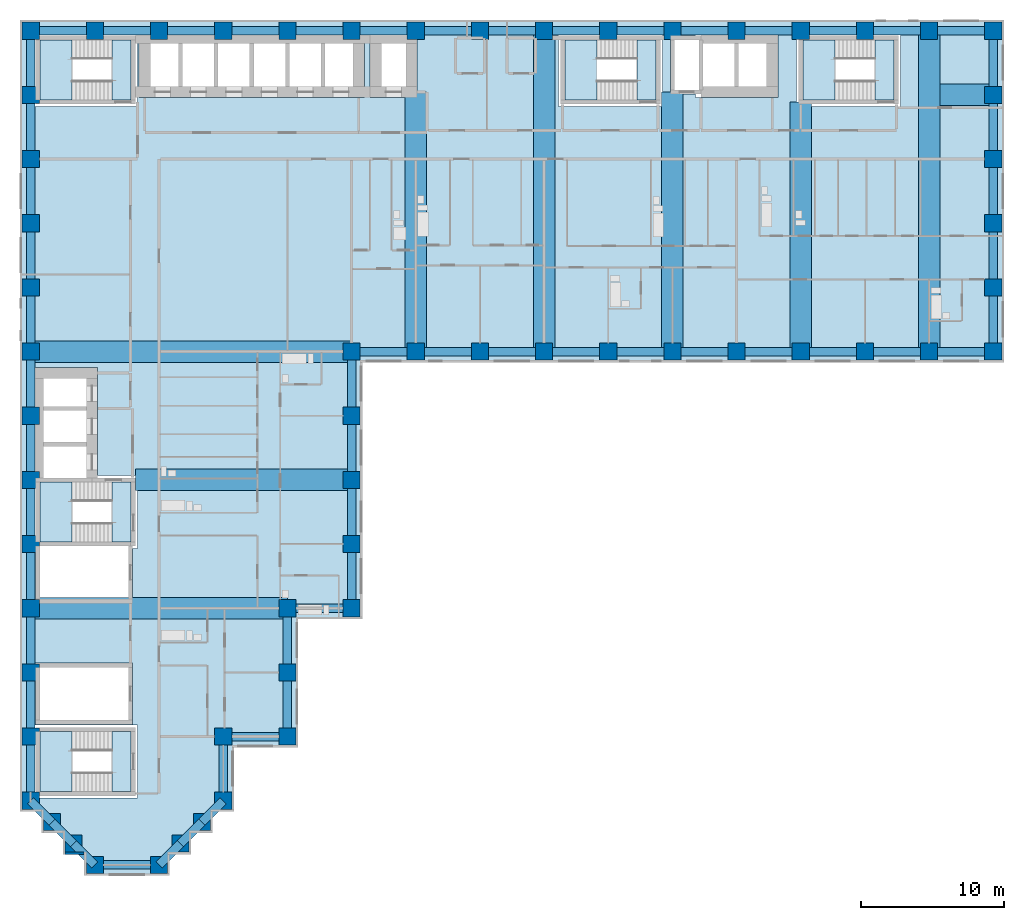
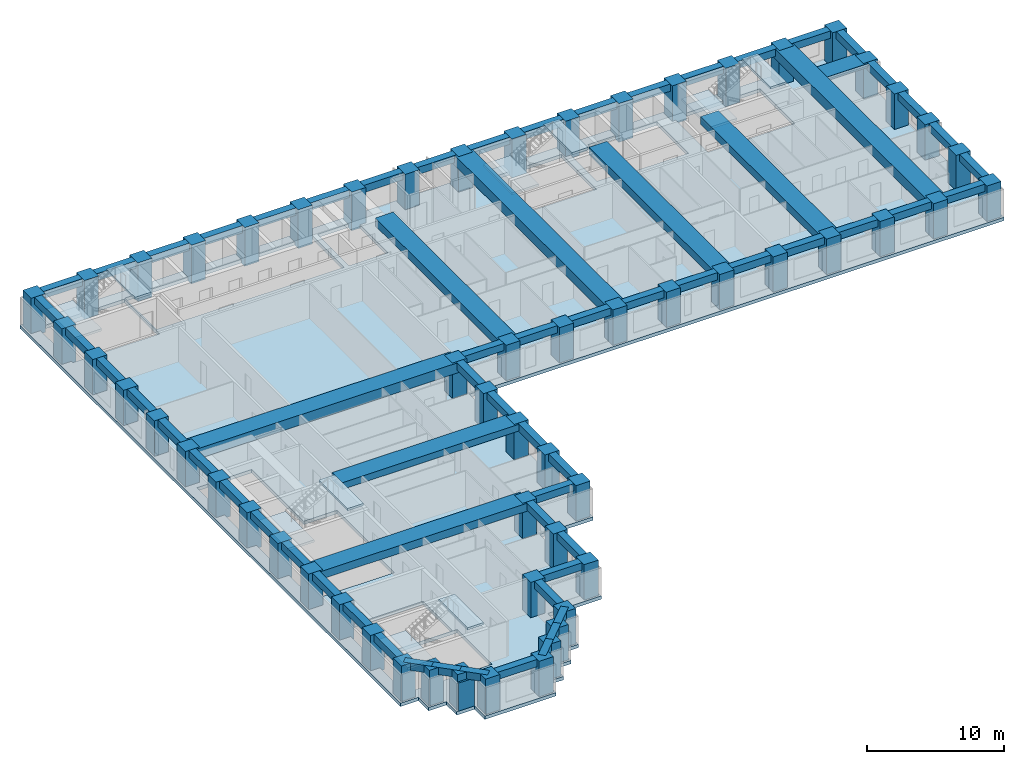
# One storey, part 1 of 13: 67 beams, 58 columns, 11 slabs, 1 wall, 5 elements without a shape of their own.
"""IFC4 building model written with IfcOpenShell, lengths in metres."""

from ifc_helpers import new_model, si_unit, direction, frame, frame_2d, origin, origin_2d, place, context, subcontext, project, spatial, polyline, rectangle, outline, extrude, material, layer, layer_set, material_profile, profile_set, type_object, element, aggregate, save


model = new_model("IFC4")

# Units and contexts
model_context = context("Model", 3, precision=1e-05, world=origin(), true_north=direction((0.0, 1.0)))
body_context = subcontext(model_context, "Body", "Model", "MODEL_VIEW")
ifc_project = project(units=[si_unit("LENGTHUNIT", "METRE"), si_unit("AREAUNIT", "SQUARE_METRE"), si_unit("VOLUMEUNIT", "CUBIC_METRE"), si_unit("PLANEANGLEUNIT", "RADIAN"), si_unit("MASSUNIT", "GRAM", prefix="KILO")], contexts=[model_context])

# Site, building, storey
site_placement = place(None, origin())
site = spatial("IfcSite", under=ifc_project, at=site_placement, CompositionType="ELEMENT")
building_placement = place(site_placement, origin())
building = spatial("IfcBuilding", under=site, at=building_placement, Name="Firuza Court", CompositionType="ELEMENT")
storey_placement = place(building_placement, frame((0.0, 0.0, 104.60009765625)))
storey = spatial("IfcBuildingStorey", under=building, at=storey_placement, Name="L26", CompositionType="ELEMENT", Elevation=104.60009765625)

# Columns
ifc_material_1 = material(Name="Concrete C70/85", Category="concrete")
ifc_material_profile_1 = material_profile(ifc_material_1, rectangle(XDim=1.199951171875, YDim=1.199951171875, at=origin_2d()), Name="RC 1200x1200")
ifc_profile_set_1 = profile_set([ifc_material_profile_1], Name="Concrete C70/85")
column_type = type_object("IfcColumnType", Name="Tube column RC 1200x1200 C70/85", PredefinedType="COLUMN", material=ifc_profile_set_1)
for number, where, z_axis, x_axis, name in (
    (1, (4.5, 0.0, -0.300048828125), (0.0, 0.0, 1.0), (1.0, 0.0, 0.0), "Column C-2D L26"),
    (2, (9.0, 0.0, -0.300048828125), (0.0, 0.0, 1.0), (1.0, 0.0, 0.0), "Column C-3D L26"),
    (3, (3.0, 1.5, -0.300048828125), (0.0, 0.0, 1.0), (1.0, 0.0, 0.0), "Column C-SA1 L26"),
    (4, (10.5, 1.5, -0.300048828125), (0.0, 0.0, 1.0), (1.0, 0.0, 0.0), "Column C-SA2 L26"),
    (5, (1.5, 3.0, -0.300048828125), (0.0, 0.0, 1.0), (1.0, 0.0, 0.0), "Column C-SA3 L26"),
    (6, (12.0, 3.0, -0.300048828125), (0.0, 0.0, 1.0), (1.0, 0.0, 0.0), "Column C-SA4 L26"),
    (7, (0.0, 4.5, -0.300048828125), (0.0, 0.0, 1.0), (1.0, 0.0, 0.0), "Column C-1E L26"),
    (8, (13.5, 4.5, -0.300048828125), (0.0, 0.0, 1.0), (1.0, 0.0, 0.0), "Column C-4E L26"),
    (9, (0.0, 9.0, -0.300048828125), (0.0, 0.0, 1.0), (1.0, 0.0, 0.0), "Column C-1F L26"),
    (10, (13.5, 9.0, -0.300048828125), (0.0, 0.0, 1.0), (1.0, 0.0, 0.0), "Column C-4F L26"),
    (11, (18.0, 9.0, -0.300048828125), (0.0, 0.0, 1.0), (1.0, 0.0, 0.0), "Column C-5F L26"),
    (12, (0.0, 13.5, -0.300048828125), (0.0, 0.0, 1.0), (1.0, 0.0, 0.0), "Column C-1G L26"),
    (13, (18.0, 13.5, -0.300048828125), (0.0, 0.0, 1.0), (1.0, 0.0, 0.0), "Column C-5G L26"),
    (14, (0.0, 18.0, -0.300048828125), (0.0, 0.0, 1.0), (1.0, 0.0, 0.0), "Column C-1H L26"),
    (15, (18.0, 18.0, -0.300048828125), (0.0, 0.0, 1.0), (1.0, 0.0, 0.0), "Column C-5H L26"),
    (16, (22.5, 18.0, -0.300048828125), (0.0, 0.0, 1.0), (1.0, 0.0, 0.0), "Column C-6H L26"),
    (17, (0.0, 22.5, -0.300048828125), (0.0, 0.0, 1.0), (1.0, 0.0, 0.0), "Column C-1J L26"),
    (18, (22.5, 22.5, -0.300048828125), (0.0, 0.0, 1.0), (1.0, 0.0, 0.0), "Column C-6J L26"),
    (19, (0.0, 27.0, -0.300048828125), (0.0, 0.0, 1.0), (1.0, 0.0, 0.0), "Column C-1K L26"),
    (20, (22.5, 27.0, -0.300048828125), (0.0, 0.0, 1.0), (1.0, 0.0, 0.0), "Column C-6K L26"),
    (21, (0.0, 31.5, -0.300048828125), (0.0, 0.0, 1.0), (1.0, 0.0, 0.0), "Column C-1L L26"),
    (22, (22.5, 31.5, -0.300048828125), (0.0, 0.0, 1.0), (1.0, 0.0, 0.0), "Column C-6L L26"),
    (23, (0.0, 36.0, -0.300048828125), (0.0, 0.0, 1.0), (1.0, 0.0, 0.0), "Column C-1M L26"),
    (24, (22.5, 36.0, -0.300048828125), (0.0, 0.0, 1.0), (1.0, 0.0, 0.0), "Column C-6M L26"),
    (25, (27.0, 36.0, -0.300048828125), (0.0, 0.0, 1.0), (1.0, 0.0, 0.0), "Column C-7M L26"),
    (26, (31.5, 36.0, -0.300048828125), (0.0, 0.0, 1.0), (1.0, 0.0, 0.0), "Column C-8M L26"),
    (27, (36.0, 36.0, -0.300048828125), (0.0, 0.0, 1.0), (1.0, 0.0, 0.0), "Column C-9M L26"),
    (28, (40.5, 36.0, -0.300048828125), (0.0, 0.0, 1.0), (1.0, 0.0, 0.0), "Column C-10M L26"),
    (29, (45.0, 36.0, -0.300048828125), (0.0, 0.0, 1.0), (1.0, 0.0, 0.0), "Column C-11M L26"),
    (30, (49.5, 36.0, -0.300048828125), (0.0, 0.0, 1.0), (1.0, 0.0, 0.0), "Column C-12M L26"),
    (31, (54.0, 36.0, -0.300048828125), (0.0, 0.0, 1.0), (1.0, 0.0, 0.0), "Column C-13M L26"),
    (32, (58.5, 36.0, -0.300048828125), (0.0, 0.0, 1.0), (1.0, 0.0, 0.0), "Column C-14M L26"),
    (33, (63.0, 36.0, -0.300048828125), (0.0, 0.0, 1.0), (1.0, 0.0, 0.0), "Column C-15M L26"),
    (34, (67.5, 36.0, -0.300048828125), (0.0, 0.0, 1.0), (1.0, 0.0, 0.0), "Column C-16M L26"),
    (35, (0.0, 40.5, -0.300048828125), (0.0, 0.0, 1.0), (1.0, 0.0, 0.0), "Column C-1N L26"),
    (36, (67.5, 40.5, -0.300048828125), (0.0, 0.0, 1.0), (1.0, 0.0, 0.0), "Column C-16N L26"),
    (37, (0.0, 45.0, -0.300048828125), (0.0, 0.0, 1.0), (1.0, 0.0, 0.0), "Column C-1P L26"),
    (38, (67.5, 45.0, -0.300048828125), (0.0, 0.0, 1.0), (1.0, 0.0, 0.0), "Column C-16P L26"),
    (39, (0.0, 49.5, -0.300048828125), (0.0, 0.0, 1.0), (1.0, 0.0, 0.0), "Column C-1Q L26"),
    (40, (67.5, 49.5, -0.300048828125), (0.0, 0.0, 1.0), (1.0, 0.0, 0.0), "Column C-16Q L26"),
    (41, (0.0, 54.0, -0.300048828125), (0.0, 0.0, 1.0), (1.0, 0.0, 0.0), "Column C-1R L26"),
    (42, (67.5, 54.0, -0.300048828125), (0.0, 0.0, 1.0), (1.0, 0.0, 0.0), "Column C-16R L26"),
    (43, (0.0, 58.5, -0.300048828125), (0.0, 0.0, 1.0), (1.0, 0.0, 0.0), "Column C-1S L26"),
    (44, (4.5, 58.5, -0.300048828125), (0.0, 0.0, 1.0), (1.0, 0.0, 0.0), "Column C-2S L26"),
    (45, (9.0, 58.5, -0.300048828125), (0.0, 0.0, 1.0), (1.0, 0.0, 0.0), "Column C-3S L26"),
    (46, (13.5, 58.5, -0.300048828125), (0.0, 0.0, 1.0), (1.0, 0.0, 0.0), "Column C-4S L26"),
    (47, (18.0, 58.5, -0.300048828125), (0.0, 0.0, 1.0), (1.0, 0.0, 0.0), "Column C-5S L26"),
    (48, (22.5, 58.5, -0.300048828125), (0.0, 0.0, 1.0), (1.0, 0.0, 0.0), "Column C-6S L26"),
    (49, (27.0, 58.5, -0.300048828125), (0.0, 0.0, 1.0), (1.0, 0.0, 0.0), "Column C-7S L26"),
    (50, (31.5, 58.5, -0.300048828125), (0.0, 0.0, 1.0), (1.0, 0.0, 0.0), "Column C-8S L26"),
    (51, (36.0, 58.5, -0.300048828125), (0.0, 0.0, 1.0), (1.0, 0.0, 0.0), "Column C-9S L26"),
    (52, (40.5, 58.5, -0.300048828125), (0.0, 0.0, 1.0), (1.0, 0.0, 0.0), "Column C-10S L26"),
    (53, (45.0, 58.5, -0.300048828125), (0.0, 0.0, 1.0), (1.0, 0.0, 0.0), "Column C-11S L26"),
    (54, (49.5, 58.5, -0.300048828125), (0.0, 0.0, 1.0), (1.0, 0.0, 0.0), "Column C-12S L26"),
    (55, (54.0, 58.5, -0.300048828125), (0.0, 0.0, 1.0), (1.0, 0.0, 0.0), "Column C-13S L26"),
    (56, (58.5, 58.5, -0.300048828125), (0.0, 0.0, 1.0), (1.0, 0.0, 0.0), "Column C-14S L26"),
    (57, (63.0, 58.5, -0.300048828125), (0.0, 0.0, 1.0), (1.0, 0.0, 0.0), "Column C-15S L26"),
    (58, (67.5, 58.5, -0.300048828125), (0.0, 0.0, 1.0), (1.0, 0.0, 0.0), "Column C-16S L26"),
):
    element("IfcColumn", number, at=place(storey_placement, frame(where, z_axis=z_axis, x_axis=x_axis)), inside=storey, type_object=column_type, Name=name, PredefinedType="COLUMN", context=body_context, shape_type="SweptSolid", body=[
        extrude(rectangle(XDim=1.199951171875, YDim=1.199951171875, at=origin_2d()), origin(), (0.0, 0.0, 1.0), 3.449951171875),
    ])

# Beams
ifc_material_2 = material(Name="Concrete C40/50", Category="concrete")
ifc_material_profile_2 = material_profile(ifc_material_2, rectangle(XDim=1.5, YDim=0.35009765625, at=origin_2d()), Name="RC 1500x350")
ifc_profile_set_2 = profile_set([ifc_material_profile_2], Name="Concrete C40/50")
beam_type_1 = type_object("IfcBeamType", Name="Band beam RC 1500x350 C40/50", PredefinedType="BEAM", material=ifc_profile_set_2)
beam_1_placement = place(storey_placement, frame((67.5, 54.0, 2.974853515625), z_axis=(-1.0, 0.0, 0.0), x_axis=(0.0, -1.0, 0.0)))
element("IfcBeam", 59, at=beam_1_placement, inside=storey, type_object=beam_type_1, Name="Band beam FB7 level L27", PredefinedType="BEAM", context=body_context, shape_type="SweptSolid", body=[
    extrude(rectangle(XDim=1.5, YDim=0.35009765625, at=origin_2d()), origin(), (0.0, 0.0, 1.0), 3.75),
])
ifc_material_3 = material(Name="Concrete C40/50", Category="concrete")
ifc_material_profile_3 = material_profile(ifc_material_3, rectangle(XDim=1.5, YDim=0.60009765625, at=origin_2d()), Name="RC 1500x600")
ifc_profile_set_3 = profile_set([ifc_material_profile_3], Name="Concrete C40/50")
beam_type_2 = type_object("IfcBeamType", Name="Band beam RC 1500x600 C40/50", PredefinedType="BEAM", material=ifc_profile_set_3)
beam_2_placement = place(storey_placement, frame((22.5, 27.0, 2.849853515625), z_axis=(-1.0, 0.0, 0.0), x_axis=(0.0, -1.0, 0.0)))
element("IfcBeam", 60, at=beam_2_placement, inside=storey, type_object=beam_type_2, Name="Band beam FB3 level L27", PredefinedType="BEAM", context=body_context, shape_type="SweptSolid", body=[
    extrude(rectangle(XDim=1.5, YDim=0.60009765625, at=origin_2d()), origin(), (0.0, 0.0, 1.0), 15.14990234375),
])
ifc_material_4 = material(Name="Concrete C40/50", Category="concrete")
ifc_material_profile_4 = material_profile(ifc_material_4, rectangle(XDim=1.5, YDim=0.699951171875, at=origin_2d()), Name="RC 1500x700")
ifc_profile_set_4 = profile_set([ifc_material_profile_4], Name="Concrete C40/50")
beam_type_3 = type_object("IfcBeamType", Name="Band beam RC 1500x700 C40/50", PredefinedType="BEAM", material=ifc_profile_set_4)
beam_3_placement = place(storey_placement, frame((0.0, 18.0, 2.7998046875), z_axis=(1.0, 0.0, 0.0), x_axis=(0.0, 1.0, 0.0)))
element("IfcBeam", 61, at=beam_3_placement, inside=storey, type_object=beam_type_3, Name="Band beam FB1 level L27", PredefinedType="BEAM", context=body_context, shape_type="SweptSolid", body=[
    extrude(rectangle(XDim=1.5, YDim=0.699951171875, at=origin_2d()), origin(), (0.0, 0.0, 1.0), 18.0),
])
for number, where, z_axis, x_axis, name in (
    (62, (27.0, 36.0, 2.7998046875), (0.0, 1.0, 0.0), (-1.0, 0.0, 0.0), "Band beam FB1 level L27"),
    (63, (45.0, 36.0, 2.7998046875), (0.0, 1.0, 0.0), (-1.0, 0.0, 0.0), "Band beam FB1 level L27"),
):
    element("IfcBeam", number, at=place(storey_placement, frame(where, z_axis=z_axis, x_axis=x_axis)), inside=storey, type_object=beam_type_3, Name=name, PredefinedType="BEAM", context=body_context, shape_type="SweptSolid", body=[
        extrude(rectangle(XDim=1.5, YDim=0.699951171875, at=origin_2d()), origin(), (0.0, 0.0, 1.0), 18.199951171875),
    ])
beam_4_placement = place(storey_placement, frame((54.0, 36.0, 2.7998046875), z_axis=(0.0, 1.0, 0.0), x_axis=(-1.0, 0.0, 0.0)))
element("IfcBeam", 64, at=beam_4_placement, inside=storey, type_object=beam_type_3, Name="Band beam FB1 level L27", PredefinedType="BEAM", context=body_context, shape_type="SweptSolid", body=[
    extrude(rectangle(XDim=1.5, YDim=0.699951171875, at=origin_2d()), origin(), (0.0, 0.0, 1.0), 17.5),
])
ifc_material_5 = material(Name="Concrete C40/50", Category="concrete")
ifc_material_profile_5 = material_profile(ifc_material_5, rectangle(XDim=1.5, YDim=0.89990234375, at=origin_2d()), Name="RC 1500x900")
ifc_profile_set_5 = profile_set([ifc_material_profile_5], Name="Concrete C40/50")
beam_type_4 = type_object("IfcBeamType", Name="Band beam RC 1500x900 C40/50", PredefinedType="BEAM", material=ifc_profile_set_5)
for number, where, z_axis, x_axis, name in (
    (65, (0.0, 36.0, 2.699951171875), (1.0, 0.0, 0.0), (0.0, 1.0, 0.0), "Band beam FB2 level L27"),
    (66, (36.0, 36.0, 2.699951171875), (0.0, 1.0, 0.0), (-1.0, 0.0, 0.0), "Band beam FB2 level L27"),
    (67, (63.0, 36.0, 2.699951171875), (0.0, 1.0, 0.0), (-1.0, 0.0, 0.0), "Band beam FB2 level L27"),
):
    element("IfcBeam", number, at=place(storey_placement, frame(where, z_axis=z_axis, x_axis=x_axis)), inside=storey, type_object=beam_type_4, Name=name, PredefinedType="BEAM", context=body_context, shape_type="SweptSolid", body=[
        extrude(rectangle(XDim=1.5, YDim=0.89990234375, at=origin_2d()), origin(), (0.0, 0.0, 1.0), 22.5),
    ])
ifc_material_6 = material(Name="Concrete C40/50", Category="concrete")
ifc_material_profile_6 = material_profile(ifc_material_6, rectangle(XDim=0.60009765625, YDim=0.64990234375, at=origin_2d()), Name="RC 600x650")
ifc_profile_set_6 = profile_set([ifc_material_profile_6], Name="Concrete C40/50")
beam_type_5 = type_object("IfcBeamType", Name="Spandrel beam RC 600x650 C40/50", PredefinedType="BEAM", material=ifc_profile_set_6)
beam_5_placement = place(storey_placement, frame((0.0, 4.5, 2.824951171875), z_axis=(0.707106781187, -0.707106781187, 0.0), x_axis=(0.707106781187, 0.707106781187, 0.0)))
element("IfcBeam", 68, at=beam_5_placement, inside=storey, type_object=beam_type_5, Name="Spandrel beam SP12 level L27", PredefinedType="BEAM", context=body_context, shape_type="SweptSolid", body=[
    extrude(rectangle(XDim=0.60009765625, YDim=0.64990234375, at=origin_2d()), origin(), (0.0, 0.0, 1.0), 2.121337890625),
])
for number, where, z_axis, x_axis, name in (
    (69, (0.0, 9.0, 2.824951171875), (0.0, -1.0, 0.0), (1.0, 0.0, 0.0), "Spandrel beam SP12 level L27"),
    (70, (0.0, 13.5, 2.824951171875), (0.0, -1.0, 0.0), (1.0, 0.0, 0.0), "Spandrel beam SP12 level L27"),
    (71, (0.0, 18.0, 2.824951171875), (0.0, -1.0, 0.0), (1.0, 0.0, 0.0), "Spandrel beam SP12 level L27"),
    (72, (0.0, 22.5, 2.824951171875), (0.0, -1.0, 0.0), (1.0, 0.0, 0.0), "Spandrel beam SP12 level L27"),
    (73, (0.0, 27.0, 2.824951171875), (0.0, -1.0, 0.0), (1.0, 0.0, 0.0), "Spandrel beam SP12 level L27"),
    (74, (0.0, 31.5, 2.824951171875), (0.0, -1.0, 0.0), (1.0, 0.0, 0.0), "Spandrel beam SP12 level L27"),
    (75, (0.0, 36.0, 2.824951171875), (0.0, -1.0, 0.0), (1.0, 0.0, 0.0), "Spandrel beam SP12 level L27"),
    (76, (0.0, 40.5, 2.824951171875), (0.0, -1.0, 0.0), (1.0, 0.0, 0.0), "Spandrel beam SP12 level L27"),
    (77, (0.0, 45.0, 2.824951171875), (0.0, -1.0, 0.0), (1.0, 0.0, 0.0), "Spandrel beam SP12 level L27"),
    (78, (0.0, 49.5, 2.824951171875), (0.0, -1.0, 0.0), (1.0, 0.0, 0.0), "Spandrel beam SP12 level L27"),
    (79, (0.0, 54.0, 2.824951171875), (0.0, -1.0, 0.0), (1.0, 0.0, 0.0), "Spandrel beam SP12 level L27"),
    (80, (0.0, 58.5, 2.824951171875), (0.0, -1.0, 0.0), (1.0, 0.0, 0.0), "Spandrel beam SP12 level L27"),
):
    element("IfcBeam", number, at=place(storey_placement, frame(where, z_axis=z_axis, x_axis=x_axis)), inside=storey, type_object=beam_type_5, Name=name, PredefinedType="BEAM", context=body_context, shape_type="SweptSolid", body=[
        extrude(rectangle(XDim=0.60009765625, YDim=0.64990234375, at=origin_2d()), origin(), (0.0, 0.0, 1.0), 4.5),
    ])
for number, where, z_axis, x_axis, name in (
    (81, (1.5, 3.0, 2.824951171875), (0.707106781187, -0.707106781187, 0.0), (0.707106781187, 0.707106781187, 0.0), "Spandrel beam SP12 level L27"),
    (82, (3.0, 1.5, 2.824951171875), (0.707106781187, -0.707106781187, 0.0), (0.707106781187, 0.707106781187, 0.0), "Spandrel beam SP12 level L27"),
):
    element("IfcBeam", number, at=place(storey_placement, frame(where, z_axis=z_axis, x_axis=x_axis)), inside=storey, type_object=beam_type_5, Name=name, PredefinedType="BEAM", context=body_context, shape_type="SweptSolid", body=[
        extrude(rectangle(XDim=0.60009765625, YDim=0.64990234375, at=origin_2d()), origin(), (0.0, 0.0, 1.0), 2.121337890625),
    ])
for number, where, z_axis, x_axis, name in (
    (83, (4.5, 0.0, 2.824951171875), (1.0, 0.0, 0.0), (0.0, 1.0, 0.0), "Spandrel beam SP12 level L27"),
    (84, (4.5, 58.5, 2.824951171875), (-1.0, 0.0, 0.0), (0.0, -1.0, 0.0), "Spandrel beam SP12 level L27"),
):
    element("IfcBeam", number, at=place(storey_placement, frame(where, z_axis=z_axis, x_axis=x_axis)), inside=storey, type_object=beam_type_5, Name=name, PredefinedType="BEAM", context=body_context, shape_type="SweptSolid", body=[
        extrude(rectangle(XDim=0.60009765625, YDim=0.64990234375, at=origin_2d()), origin(), (0.0, 0.0, 1.0), 4.5),
    ])
beam_6_placement = place(storey_placement, frame((9.0, 0.0, 2.824951171875), z_axis=(0.707106781187, 0.707106781187, 0.0), x_axis=(-0.707106781187, 0.707106781187, 0.0)))
element("IfcBeam", 85, at=beam_6_placement, inside=storey, type_object=beam_type_5, Name="Spandrel beam SP12 level L27", PredefinedType="BEAM", context=body_context, shape_type="SweptSolid", body=[
    extrude(rectangle(XDim=0.60009765625, YDim=0.64990234375, at=origin_2d()), origin(), (0.0, 0.0, 1.0), 2.121337890625),
])
beam_7_placement = place(storey_placement, frame((9.0, 58.5, 2.824951171875), z_axis=(-1.0, 0.0, 0.0), x_axis=(0.0, -1.0, 0.0)))
element("IfcBeam", 86, at=beam_7_placement, inside=storey, type_object=beam_type_5, Name="Spandrel beam SP12 level L27", PredefinedType="BEAM", context=body_context, shape_type="SweptSolid", body=[
    extrude(rectangle(XDim=0.60009765625, YDim=0.64990234375, at=origin_2d()), origin(), (0.0, 0.0, 1.0), 4.5),
])
for number, where, z_axis, x_axis, name in (
    (87, (10.5, 1.5, 2.824951171875), (0.707106781187, 0.707106781187, 0.0), (-0.707106781187, 0.707106781187, 0.0), "Spandrel beam SP12 level L27"),
    (88, (12.0, 3.0, 2.824951171875), (0.707106781187, 0.707106781187, 0.0), (-0.707106781187, 0.707106781187, 0.0), "Spandrel beam SP12 level L27"),
):
    element("IfcBeam", number, at=place(storey_placement, frame(where, z_axis=z_axis, x_axis=x_axis)), inside=storey, type_object=beam_type_5, Name=name, PredefinedType="BEAM", context=body_context, shape_type="SweptSolid", body=[
        extrude(rectangle(XDim=0.60009765625, YDim=0.64990234375, at=origin_2d()), origin(), (0.0, 0.0, 1.0), 2.121337890625),
    ])
for number, where, z_axis, x_axis, name in (
    (89, (13.5, 4.5, 2.824951171875), (0.0, 1.0, 0.0), (-1.0, 0.0, 0.0), "Spandrel beam SP12 level L27"),
    (90, (13.5, 9.0, 2.824951171875), (1.0, 0.0, 0.0), (0.0, 1.0, 0.0), "Spandrel beam SP12 level L27"),
    (91, (13.5, 58.5, 2.824951171875), (-1.0, 0.0, 0.0), (0.0, -1.0, 0.0), "Spandrel beam SP12 level L27"),
    (92, (18.0, 9.0, 2.824951171875), (0.0, 1.0, 0.0), (-1.0, 0.0, 0.0), "Spandrel beam SP12 level L27"),
    (93, (18.0, 13.5, 2.824951171875), (0.0, 1.0, 0.0), (-1.0, 0.0, 0.0), "Spandrel beam SP12 level L27"),
    (94, (18.0, 18.0, 2.824951171875), (1.0, 0.0, 0.0), (0.0, 1.0, 0.0), "Spandrel beam SP12 level L27"),
    (95, (18.0, 58.5, 2.824951171875), (-1.0, 0.0, 0.0), (0.0, -1.0, 0.0), "Spandrel beam SP12 level L27"),
    (96, (22.5, 18.0, 2.824951171875), (0.0, 1.0, 0.0), (-1.0, 0.0, 0.0), "Spandrel beam SP12 level L27"),
    (97, (22.5, 22.5, 2.824951171875), (0.0, 1.0, 0.0), (-1.0, 0.0, 0.0), "Spandrel beam SP12 level L27"),
    (98, (22.5, 27.0, 2.824951171875), (0.0, 1.0, 0.0), (-1.0, 0.0, 0.0), "Spandrel beam SP12 level L27"),
    (99, (22.5, 31.5, 2.824951171875), (0.0, 1.0, 0.0), (-1.0, 0.0, 0.0), "Spandrel beam SP12 level L27"),
    (100, (22.5, 36.0, 2.824951171875), (1.0, 0.0, 0.0), (0.0, 1.0, 0.0), "Spandrel beam SP12 level L27"),
    (101, (22.5, 58.5, 2.824951171875), (-1.0, 0.0, 0.0), (0.0, -1.0, 0.0), "Spandrel beam SP12 level L27"),
    (102, (27.0, 36.0, 2.824951171875), (1.0, 0.0, 0.0), (0.0, 1.0, 0.0), "Spandrel beam SP12 level L27"),
    (103, (27.0, 58.5, 2.824951171875), (-1.0, 0.0, 0.0), (0.0, -1.0, 0.0), "Spandrel beam SP12 level L27"),
    (104, (31.5, 36.0, 2.824951171875), (1.0, 0.0, 0.0), (0.0, 1.0, 0.0), "Spandrel beam SP12 level L27"),
    (105, (31.5, 58.5, 2.824951171875), (-1.0, 0.0, 0.0), (0.0, -1.0, 0.0), "Spandrel beam SP12 level L27"),
    (106, (36.0, 36.0, 2.824951171875), (1.0, 0.0, 0.0), (0.0, 1.0, 0.0), "Spandrel beam SP12 level L27"),
    (107, (36.0, 58.5, 2.824951171875), (-1.0, 0.0, 0.0), (0.0, -1.0, 0.0), "Spandrel beam SP12 level L27"),
    (108, (40.5, 36.0, 2.824951171875), (1.0, 0.0, 0.0), (0.0, 1.0, 0.0), "Spandrel beam SP12 level L27"),
    (109, (40.5, 58.5, 2.824951171875), (-1.0, 0.0, 0.0), (0.0, -1.0, 0.0), "Spandrel beam SP12 level L27"),
    (110, (45.0, 36.0, 2.824951171875), (1.0, 0.0, 0.0), (0.0, 1.0, 0.0), "Spandrel beam SP12 level L27"),
    (111, (45.0, 58.5, 2.824951171875), (-1.0, 0.0, 0.0), (0.0, -1.0, 0.0), "Spandrel beam SP12 level L27"),
    (112, (49.5, 36.0, 2.824951171875), (1.0, 0.0, 0.0), (0.0, 1.0, 0.0), "Spandrel beam SP12 level L27"),
    (113, (49.5, 58.5, 2.824951171875), (-1.0, 0.0, 0.0), (0.0, -1.0, 0.0), "Spandrel beam SP12 level L27"),
    (114, (54.0, 36.0, 2.824951171875), (1.0, 0.0, 0.0), (0.0, 1.0, 0.0), "Spandrel beam SP12 level L27"),
    (115, (54.0, 58.5, 2.824951171875), (-1.0, 0.0, 0.0), (0.0, -1.0, 0.0), "Spandrel beam SP12 level L27"),
    (116, (58.5, 36.0, 2.824951171875), (1.0, 0.0, 0.0), (0.0, 1.0, 0.0), "Spandrel beam SP12 level L27"),
    (117, (58.5, 58.5, 2.824951171875), (-1.0, 0.0, 0.0), (0.0, -1.0, 0.0), "Spandrel beam SP12 level L27"),
    (118, (63.0, 36.0, 2.824951171875), (1.0, 0.0, 0.0), (0.0, 1.0, 0.0), "Spandrel beam SP12 level L27"),
    (119, (63.0, 58.5, 2.824951171875), (-1.0, 0.0, 0.0), (0.0, -1.0, 0.0), "Spandrel beam SP12 level L27"),
    (120, (67.5, 36.0, 2.824951171875), (0.0, 1.0, 0.0), (-1.0, 0.0, 0.0), "Spandrel beam SP12 level L27"),
    (121, (67.5, 40.5, 2.824951171875), (0.0, 1.0, 0.0), (-1.0, 0.0, 0.0), "Spandrel beam SP12 level L27"),
    (122, (67.5, 45.0, 2.824951171875), (0.0, 1.0, 0.0), (-1.0, 0.0, 0.0), "Spandrel beam SP12 level L27"),
    (123, (67.5, 49.5, 2.824951171875), (0.0, 1.0, 0.0), (-1.0, 0.0, 0.0), "Spandrel beam SP12 level L27"),
    (124, (67.5, 54.0, 2.824951171875), (0.0, 1.0, 0.0), (-1.0, 0.0, 0.0), "Spandrel beam SP12 level L27"),
    (125, (67.5, 58.5, 2.824951171875), (-1.0, 0.0, 0.0), (0.0, -1.0, 0.0), "Spandrel beam SP12 level L27"),
):
    element("IfcBeam", number, at=place(storey_placement, frame(where, z_axis=z_axis, x_axis=x_axis)), inside=storey, type_object=beam_type_5, Name=name, PredefinedType="BEAM", context=body_context, shape_type="SweptSolid", body=[
        extrude(rectangle(XDim=0.60009765625, YDim=0.64990234375, at=origin_2d()), origin(), (0.0, 0.0, 1.0), 4.5),
    ])

# Slab
ifc_material_7 = material(Name="Concrete C40/50", Category="concrete")
ifc_layer_1 = layer(ifc_material_7, 0.300048828125)
ifc_layer_set_1 = layer_set([ifc_layer_1], Name="Concrete C40/50")
slab_type_1 = type_object("IfcSlabType", Name="Floor slab 300 C40/50", PredefinedType="FLOOR", material=ifc_layer_set_1)
slab_1_placement = place(storey_placement, frame((0.0, 0.0, -0.300048828125)))
element("IfcSlab", 126, at=slab_1_placement, inside=storey, type_object=slab_type_1, Name="Floor slab L26", PredefinedType="FLOOR", context=body_context, shape_type="SweptSolid", body=[
    extrude(outline(polyline([(3.75, -0.75), (3.75, 0.75), (2.25, 0.75), (2.25, 2.25), (0.75, 2.25), (0.75, 3.75), (-0.75, 3.75), (-0.75, 59.25), (68.25, 59.25), (68.25, 35.25), (23.25, 35.25), (23.25, 17.25), (18.75, 17.25), (18.75, 8.25), (14.25, 8.25), (14.25, 3.75), (12.75, 3.75), (12.75, 2.25), (11.25, 2.25), (11.25, 0.75), (9.75, 0.75), (9.75, -0.75), (3.75, -0.75)]), holes=[polyline([(7.5, 9.800048828125), (0.199951171875, 9.800048828125), (0.199951171875, 4.699951171875), (7.5, 4.699951171875), (7.5, 9.800048828125)]), polyline([(7.14990234375, 14.14990234375), (0.35009765625, 14.14990234375), (0.35009765625, 9.85009765625), (7.14990234375, 9.85009765625), (7.14990234375, 14.14990234375)]), polyline([(0.199951171875, 22.199951171875), (0.35009765625, 22.199951171875), (0.35009765625, 18.35009765625), (7.14990234375, 18.35009765625), (7.14990234375, 22.199951171875), (7.5, 22.199951171875), (7.5, 27.300048828125), (4.699951171875, 27.300048828125), (4.699951171875, 29.10009765625), (4.699951171875, 29.89990234375), (4.699951171875, 31.60009765625), (4.699951171875, 32.39990234375), (4.699951171875, 34.89990234375), (0.10009765625, 34.89990234375), (0.10009765625, 32.39990234375), (0.10009765625, 31.60009765625), (0.10009765625, 29.89990234375), (0.10009765625, 29.10009765625), (0.10009765625, 26.60009765625), (0.199951171875, 26.60009765625), (0.199951171875, 22.199951171875)]), polyline([(7.5, 58.300048828125), (0.199951171875, 58.300048828125), (0.199951171875, 53.199951171875), (7.5, 53.199951171875), (7.5, 58.300048828125)]), polyline([(10.10009765625, 58.39990234375), (7.60009765625, 58.39990234375), (7.60009765625, 53.800048828125), (10.10009765625, 53.800048828125), (10.89990234375, 53.800048828125), (12.60009765625, 53.800048828125), (13.39990234375, 53.800048828125), (15.10009765625, 53.800048828125), (15.89990234375, 53.800048828125), (17.60009765625, 53.800048828125), (18.39990234375, 53.800048828125), (20.10009765625, 53.800048828125), (20.89990234375, 53.800048828125), (23.39990234375, 53.800048828125), (23.39990234375, 58.39990234375), (20.89990234375, 58.39990234375), (20.10009765625, 58.39990234375), (18.39990234375, 58.39990234375), (17.60009765625, 58.39990234375), (15.89990234375, 58.39990234375), (15.10009765625, 58.39990234375), (13.39990234375, 58.39990234375), (12.60009765625, 58.39990234375), (10.89990234375, 58.39990234375), (10.10009765625, 58.39990234375)]), polyline([(44.300048828125, 58.300048828125), (37.0, 58.300048828125), (37.0, 53.199951171875), (44.300048828125, 53.199951171875), (44.300048828125, 58.300048828125)]), polyline([(61.0, 58.300048828125), (53.699951171875, 58.300048828125), (53.699951171875, 53.199951171875), (61.0, 53.199951171875), (61.0, 58.300048828125)]), polyline([(27.10009765625, 58.39990234375), (23.800048828125, 58.39990234375), (23.800048828125, 53.800048828125), (27.10009765625, 53.800048828125), (27.10009765625, 58.39990234375)]), polyline([(46.60009765625, 58.14990234375), (44.85009765625, 58.14990234375), (44.85009765625, 54.050048828125), (46.60009765625, 54.050048828125), (46.60009765625, 53.800048828125), (49.10009765625, 53.800048828125), (49.89990234375, 53.800048828125), (52.39990234375, 53.800048828125), (52.39990234375, 58.39990234375), (49.89990234375, 58.39990234375), (49.10009765625, 58.39990234375), (46.60009765625, 58.39990234375), (46.60009765625, 58.14990234375)])]), origin(), (0.0, 0.0, 1.0), 0.300048828125),
])

# Stair, slabs
ifc_material_8 = material(Name="Concrete C40/50 precast", Category="concrete")
stair_type = type_object("IfcStairType", Name="Stair 1350 x 3600 2 flights", PredefinedType="HALF_TURN_STAIR", material=ifc_material_8)
stair_1_placement = place(storey_placement, origin())
stair_1 = element("IfcStair", 127, at=stair_1_placement, inside=storey, type_object=stair_type, Name="Stair 1 L26", PredefinedType="HALF_TURN_STAIR")
ifc_material_9 = material(Name="Concrete C40/50 precast", Category="concrete")
ifc_layer_2 = layer(ifc_material_9, 0.199951171875)
ifc_layer_set_2 = layer_set([ifc_layer_2], Name="Concrete C40/50 precast")
slab_type_2 = type_object("IfcSlabType", Name="Stair landing 200", PredefinedType="LANDING", material=ifc_layer_set_2)
slab_2_placement = place(storey_placement, frame((0.0, 0.0, 1.599853515625)))
slab_2 = element("IfcSlab", 128, at=slab_2_placement, type_object=slab_type_2, Name="S1 landing 1", PredefinedType="LANDING", context=body_context, shape_type="SweptSolid", body=[
    extrude(outline(polyline([(39.699951171875, 53.64990234375), (39.699951171875, 57.85009765625), (37.449951171875, 57.85009765625), (37.449951171875, 53.64990234375), (39.699951171875, 53.64990234375)])), origin(), (0.0, 0.0, 1.0), 0.199951171875),
])
slab_3_placement = place(storey_placement, frame((0.0, 0.0, 3.39990234375)))
slab_3 = element("IfcSlab", 129, at=slab_3_placement, type_object=slab_type_2, Name="S1 landing 2", PredefinedType="LANDING", context=body_context, shape_type="SweptSolid", body=[
    extrude(outline(polyline([(43.85009765625, 53.64990234375), (43.85009765625, 57.85009765625), (42.5, 57.85009765625), (42.5, 53.64990234375), (43.85009765625, 53.64990234375)])), origin(), (0.0, 0.0, 1.0), 0.199951171875),
])
aggregate(stair_1, [slab_2, slab_3])

stair_2_placement = place(storey_placement, origin())
stair_2 = element("IfcStair", 130, at=stair_2_placement, inside=storey, type_object=stair_type, Name="Stair 2 L26", PredefinedType="HALF_TURN_STAIR")
slab_4_placement = place(storey_placement, frame((0.0, 0.0, 1.599853515625)))
slab_4 = element("IfcSlab", 131, at=slab_4_placement, type_object=slab_type_2, Name="S2 landing 1", PredefinedType="LANDING", context=body_context, shape_type="SweptSolid", body=[
    extrude(outline(polyline([(2.89990234375, 22.64990234375), (2.89990234375, 26.85009765625), (0.64990234375, 26.85009765625), (0.64990234375, 22.64990234375), (2.89990234375, 22.64990234375)])), origin(), (0.0, 0.0, 1.0), 0.199951171875),
])
slab_5_placement = place(storey_placement, frame((0.0, 0.0, 3.39990234375)))
slab_5 = element("IfcSlab", 132, at=slab_5_placement, type_object=slab_type_2, Name="S2 landing 2", PredefinedType="LANDING", context=body_context, shape_type="SweptSolid", body=[
    extrude(outline(polyline([(7.050048828125, 22.64990234375), (7.050048828125, 26.85009765625), (5.699951171875, 26.85009765625), (5.699951171875, 22.64990234375), (7.050048828125, 22.64990234375)])), origin(), (0.0, 0.0, 1.0), 0.199951171875),
])
aggregate(stair_2, [slab_4, slab_5])

stair_3_placement = place(storey_placement, origin())
stair_3 = element("IfcStair", 133, at=stair_3_placement, inside=storey, type_object=stair_type, Name="Stair 3 L26", PredefinedType="HALF_TURN_STAIR")
slab_6_placement = place(storey_placement, frame((0.0, 0.0, 1.599853515625)))
slab_6 = element("IfcSlab", 134, at=slab_6_placement, type_object=slab_type_2, Name="S3 landing 1", PredefinedType="LANDING", context=body_context, shape_type="SweptSolid", body=[
    extrude(outline(polyline([(2.89990234375, 53.64990234375), (2.89990234375, 57.85009765625), (0.64990234375, 57.85009765625), (0.64990234375, 53.64990234375), (2.89990234375, 53.64990234375)])), origin(), (0.0, 0.0, 1.0), 0.199951171875),
])
slab_7_placement = place(storey_placement, frame((0.0, 0.0, 3.39990234375)))
slab_7 = element("IfcSlab", 135, at=slab_7_placement, type_object=slab_type_2, Name="S3 landing 2", PredefinedType="LANDING", context=body_context, shape_type="SweptSolid", body=[
    extrude(outline(polyline([(7.050048828125, 53.64990234375), (7.050048828125, 57.85009765625), (5.699951171875, 57.85009765625), (5.699951171875, 53.64990234375), (7.050048828125, 53.64990234375)])), origin(), (0.0, 0.0, 1.0), 0.199951171875),
])
aggregate(stair_3, [slab_6, slab_7])

stair_4_placement = place(storey_placement, origin())
stair_4 = element("IfcStair", 136, at=stair_4_placement, inside=storey, type_object=stair_type, Name="Stair 4 L26", PredefinedType="HALF_TURN_STAIR")
slab_8_placement = place(storey_placement, frame((0.0, 0.0, 1.599853515625)))
slab_8 = element("IfcSlab", 137, at=slab_8_placement, type_object=slab_type_2, Name="S4 landing 1", PredefinedType="LANDING", context=body_context, shape_type="SweptSolid", body=[
    extrude(outline(polyline([(56.39990234375, 53.64990234375), (56.39990234375, 57.85009765625), (54.14990234375, 57.85009765625), (54.14990234375, 53.64990234375), (56.39990234375, 53.64990234375)])), origin(), (0.0, 0.0, 1.0), 0.199951171875),
])
slab_9_placement = place(storey_placement, frame((0.0, 0.0, 3.39990234375)))
slab_9 = element("IfcSlab", 138, at=slab_9_placement, type_object=slab_type_2, Name="S4 landing 2", PredefinedType="LANDING", context=body_context, shape_type="SweptSolid", body=[
    extrude(outline(polyline([(60.550048828125, 53.64990234375), (60.550048828125, 57.85009765625), (59.199951171875, 57.85009765625), (59.199951171875, 53.64990234375), (60.550048828125, 53.64990234375)])), origin(), (0.0, 0.0, 1.0), 0.199951171875),
])
aggregate(stair_4, [slab_8, slab_9])

stair_5_placement = place(storey_placement, origin())
stair_5 = element("IfcStair", 139, at=stair_5_placement, inside=storey, type_object=stair_type, Name="Stair 5 L26", PredefinedType="HALF_TURN_STAIR")
slab_10_placement = place(storey_placement, frame((0.0, 0.0, 1.599853515625)))
slab_10 = element("IfcSlab", 140, at=slab_10_placement, type_object=slab_type_2, Name="S5 landing 1", PredefinedType="LANDING", context=body_context, shape_type="SweptSolid", body=[
    extrude(outline(polyline([(2.89990234375, 5.14990234375), (2.89990234375, 9.35009765625), (0.64990234375, 9.35009765625), (0.64990234375, 5.14990234375), (2.89990234375, 5.14990234375)])), origin(), (0.0, 0.0, 1.0), 0.199951171875),
])
slab_11_placement = place(storey_placement, frame((0.0, 0.0, 3.39990234375)))
slab_11 = element("IfcSlab", 141, at=slab_11_placement, type_object=slab_type_2, Name="S5 landing 2", PredefinedType="LANDING", context=body_context, shape_type="SweptSolid", body=[
    extrude(outline(polyline([(7.050048828125, 5.14990234375), (7.050048828125, 9.35009765625), (5.699951171875, 9.35009765625), (5.699951171875, 5.14990234375), (7.050048828125, 5.14990234375)])), origin(), (0.0, 0.0, 1.0), 0.199951171875),
])
aggregate(stair_5, [slab_10, slab_11])

# Wall
ifc_material_10 = material(Name="Ceramic tile", Category="ceramic")
ifc_layer_3 = layer(ifc_material_10, 0.02001953125)
ifc_material_11 = material(Name="Mineral wool insulation", Category="insulation")
ifc_layer_4 = layer(ifc_material_11, 0.050048828125)
ifc_layer_5 = layer(ifc_material_9, 0.080078125)
ifc_layer_set_3 = layer_set([ifc_layer_3, ifc_layer_4, ifc_layer_5], Name="Concrete C40/50 precast")
wall_type = type_object("IfcWallType", Name="Precast cladding wall with turquoise TILE PANEL face 150", PredefinedType="STANDARD", material=ifc_layer_set_3)
wall_placement = place(storey_placement, frame((2.39990234375, 0.824951171875, 0.0), z_axis=(0.0, 0.0, 1.0), x_axis=(1.0, 0.0, 0.0)))
element("IfcWall", 142, at=wall_placement, inside=storey, type_object=wall_type, Name="Facade wall L26 S", PredefinedType="STANDARD", context=body_context, shape_type="SweptSolid", body=[
    extrude(rectangle(XDim=1.35009765625, YDim=0.14990234375, at=frame_2d((0.675048828125, 0.0))), origin(), (0.0, 0.0, 1.0), 2.5),
])

save(model, "model.ifc")
